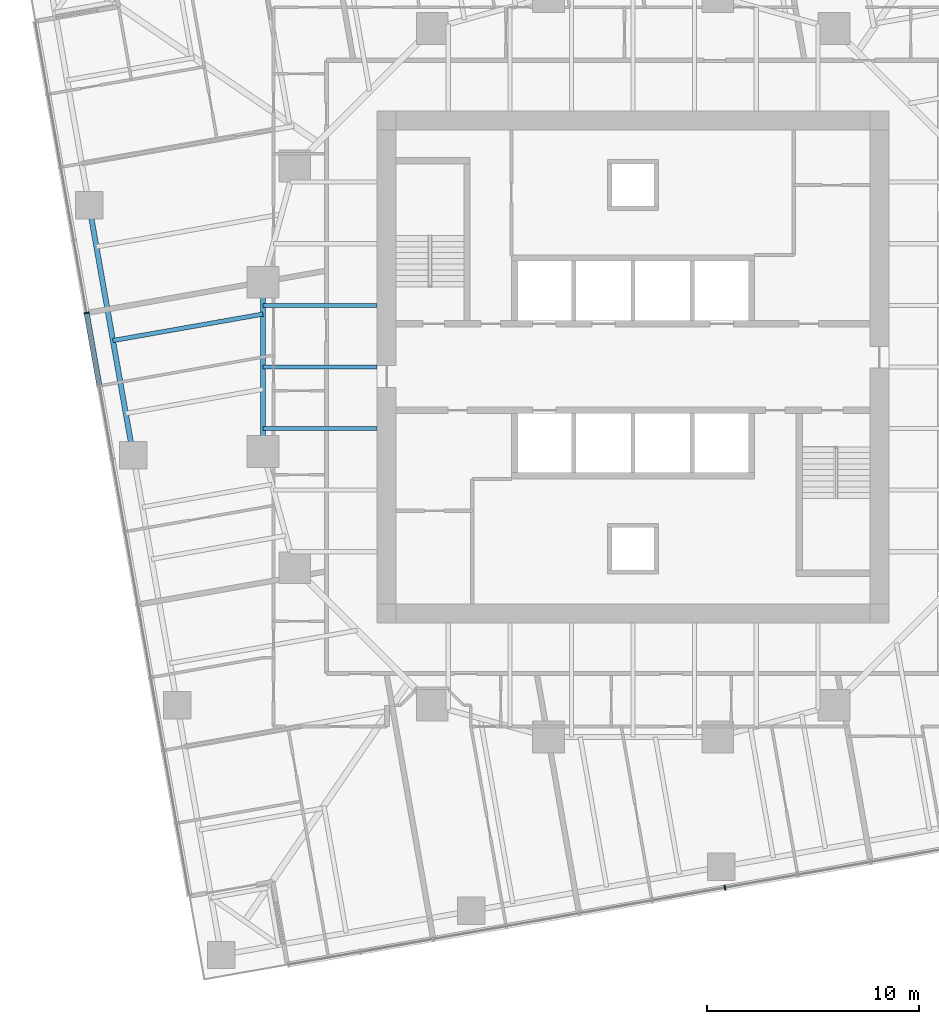
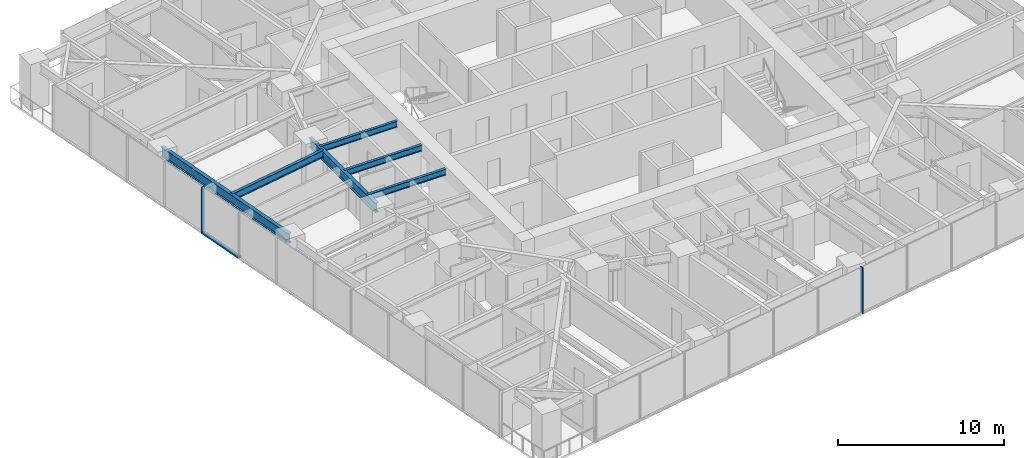
# One storey, part 3 of 14: 6 beams, 3 members, 2 elements without a shape of their own.
"""IFC4 building model written with IfcOpenShell, lengths in metres."""

from ifc_helpers import new_model, si_unit, direction, frame, origin, origin_2d, place, context, subcontext, project, spatial, rectangle, i_section, extrude, material, material_profile, profile_set, type_object, element, aggregate, save


model = new_model("IFC4")

# Units and contexts
model_context = context("Model", 3, precision=1e-05, world=origin(), true_north=direction((0.0, 1.0)))
body_context = subcontext(model_context, "Body", "Model", "MODEL_VIEW")
ifc_project = project(units=[si_unit("LENGTHUNIT", "METRE"), si_unit("AREAUNIT", "SQUARE_METRE"), si_unit("VOLUMEUNIT", "CUBIC_METRE"), si_unit("PLANEANGLEUNIT", "RADIAN"), si_unit("MASSUNIT", "GRAM", prefix="KILO")], contexts=[model_context])

# Site, building, storey
site_placement = place(None, origin())
site = spatial("IfcSite", under=ifc_project, at=site_placement, CompositionType="ELEMENT")
building_placement = place(site_placement, origin())
building = spatial("IfcBuilding", under=site, at=building_placement, Name="Torsade Residences", CompositionType="ELEMENT")
storey_placement = place(building_placement, frame((0.0, 0.0, 82.800048828125)))
storey = spatial("IfcBuildingStorey", under=building, at=storey_placement, Name="L22", CompositionType="ELEMENT", Elevation=82.800048828125)

# Curtain wall, member
ifc_material_1 = material(Name="Aluminium and glass", Category="aluminium")
curtain_wall_type = type_object("IfcCurtainWallType", Name="FRITTED GLASS CURTAIN WALL LOW ZONE", PredefinedType="NOTDEFINED", material=ifc_material_1)
curtain_wall_1_placement = place(storey_placement, origin())
curtain_wall_1 = element("IfcCurtainWall", 1, at=curtain_wall_1_placement, inside=storey, type_object=curtain_wall_type, Name="Curtain wall L22 face 1", PredefinedType="NOTDEFINED")
ifc_material_2 = material(Name="Aluminium mullion", Category="aluminium")
ifc_material_profile_1 = material_profile(ifc_material_2, rectangle(XDim=0.25, YDim=0.06494140625, at=origin_2d()), Name="CURTAIN WALL MULLION 250x65")
ifc_profile_set_1 = profile_set([ifc_material_profile_1], Name="Aluminium mullion")
member_type_1 = type_object("IfcMemberType", Name="CURTAIN WALL MULLION 250x65", PredefinedType="MULLION", material=ifc_profile_set_1)
member_1_placement = place(storey_placement, frame((44.34130859375, 5.3798828125, 0.0), z_axis=(0.0, 0.0, 1.0), x_axis=(-0.173648192638, 0.984807750372, 0.0)))
member_1 = element("IfcMember", 2, at=member_1_placement, type_object=member_type_1, Name="Mullion 7", PredefinedType="MULLION", context=body_context, shape_type="SweptSolid", body=[
    extrude(rectangle(XDim=0.25, YDim=0.06494140625, at=origin_2d()), origin(), (0.0, 0.0, 1.0), 3.39990234375),
])
aggregate(curtain_wall_1, [member_1])

# Curtain wall, members
curtain_wall_2_placement = place(storey_placement, origin())
curtain_wall_2 = element("IfcCurtainWall", 3, at=curtain_wall_2_placement, inside=storey, type_object=curtain_wall_type, Name="Curtain wall L22 face 10", PredefinedType="NOTDEFINED")
member_2_placement = place(storey_placement, frame((14.164306640625, 32.552490234375, 0.0), z_axis=(0.0, 0.0, 1.0), x_axis=(0.984807750372, 0.173648192638, 0.0)))
member_2 = element("IfcMember", 4, at=member_2_placement, type_object=member_type_1, Name="Mullion 5", PredefinedType="MULLION", context=body_context, shape_type="SweptSolid", body=[
    extrude(rectangle(XDim=0.25, YDim=0.06494140625, at=origin_2d()), origin(), (0.0, 0.0, 1.0), 3.39990234375),
])
ifc_material_3 = material(Name="Aluminium transom", Category="aluminium")
ifc_material_profile_2 = material_profile(ifc_material_3, rectangle(XDim=0.25, YDim=0.10009765625, at=origin_2d()), Name="CURTAIN WALL TRANSOM 250x100")
ifc_profile_set_2 = profile_set([ifc_material_profile_2], Name="Aluminium transom")
member_type_2 = type_object("IfcMemberType", Name="CURTAIN WALL TRANSOM 250x100", PredefinedType="USERDEFINED", material=ifc_profile_set_2)
member_3_placement = place(storey_placement, frame((14.169921875, 32.5205078125, 0.050048828125), z_axis=(0.17363531196, -0.984810021497, 0.0), x_axis=(0.984810021497, 0.17363531196, 0.0)))
member_3 = element("IfcMember", 5, at=member_3_placement, type_object=member_type_2, Name="Transom 5.1", ObjectType="TRANSOM", PredefinedType="USERDEFINED", context=body_context, shape_type="SweptSolid", body=[
    extrude(rectangle(XDim=0.25, YDim=0.10009765625, at=origin_2d()), origin(), (0.0, 0.0, 1.0), 3.43505859375),
])
aggregate(curtain_wall_2, [member_2, member_3])

# Beams
ifc_material_4 = material(Name="Steel grade 300", Category="steel")
ifc_material_profile_3 = material_profile(ifc_material_4, i_section(OverallWidth=0.25, OverallDepth=0.699951171875, WebThickness=0.010009765625, FlangeThickness=0.02001953125, at=origin_2d()), Name="700WB130")
ifc_profile_set_3 = profile_set([ifc_material_profile_3], Name="Steel grade 300")
beam_type_1 = type_object("IfcBeamType", Name="EDGE BEAM 700WB130", PredefinedType="SPANDREL", material=ifc_profile_set_3)
beam_1_placement = place(storey_placement, frame((14.28076171875, 37.650146484375, 2.89990234375), z_axis=(0.173646056486, -0.984808127031, 0.0), x_axis=(0.984808127031, 0.173646056486, 0.0)))
element("IfcBeam", 6, at=beam_1_placement, inside=storey, type_object=beam_type_1, Name="Edge beam 14 L23", PredefinedType="SPANDREL", context=body_context, shape_type="SweptSolid", body=[
    extrude(i_section(OverallWidth=0.25, OverallDepth=0.699951171875, WebThickness=0.010009765625, FlangeThickness=0.02001953125, at=origin_2d()), origin(), (0.0, 0.0, 1.0), 12.0),
])
ifc_material_5 = material(Name="Steel grade 300", Category="steel")
ifc_material_profile_4 = material_profile(ifc_material_5, i_section(OverallWidth=0.18994140625, OverallDepth=0.4541015625, WebThickness=0.008544921875, FlangeThickness=0.0126953125, FilletRadius=0.011474609375, at=origin_2d()), Name="460UB67.1")
ifc_profile_set_4 = profile_set([ifc_material_profile_4], Name="Steel grade 300")
beam_type_2 = type_object("IfcBeamType", Name="INNER FLOOR BEAM 460UB67.1", PredefinedType="JOIST", material=ifc_profile_set_4)
for number, where, z_axis, x_axis, name in (
    (7, (27.89990234375, 32.91259765625, 3.02294921875), (-1.0, 0.0, 0.0), (0.0, -1.0, 0.0), "Inner floor beam IW03 L23"),
    (8, (27.89990234375, 30.0, 3.02294921875), (-1.0, 0.0, 0.0), (0.0, -1.0, 0.0), "Inner floor beam IW04 L23"),
    (9, (27.89990234375, 27.08740234375, 3.02294921875), (-1.0, 0.0, 0.0), (0.0, -1.0, 0.0), "Inner floor beam IW05 L23"),
):
    element("IfcBeam", number, at=place(storey_placement, frame(where, z_axis=z_axis, x_axis=x_axis)), inside=storey, type_object=beam_type_2, Name=name, PredefinedType="JOIST", context=body_context, shape_type="SweptSolid", body=[
        extrude(i_section(OverallWidth=0.18994140625, OverallDepth=0.4541015625, WebThickness=0.008544921875, FlangeThickness=0.0126953125, FilletRadius=0.011474609375, at=origin_2d()), origin(), (0.0, 0.0, 1.0), 5.39990234375),
    ])
ifc_material_6 = material(Name="Steel grade 300", Category="steel")
ifc_material_profile_5 = material_profile(ifc_material_6, i_section(OverallWidth=0.25, OverallDepth=0.699951171875, WebThickness=0.010009765625, FlangeThickness=0.02001953125, at=origin_2d()), Name="700WB130")
ifc_profile_set_5 = profile_set([ifc_material_profile_5], Name="Steel grade 300")
beam_type_3 = type_object("IfcBeamType", Name="RING GIRDER 700WB130", PredefinedType="BEAM", material=ifc_profile_set_5)
beam_2_placement = place(storey_placement, frame((22.5, 34.0, 2.89990234375), z_axis=(0.0, -1.0, 0.0), x_axis=(1.0, 0.0, 0.0)))
element("IfcBeam", 10, at=beam_2_placement, inside=storey, type_object=beam_type_3, Name="Ring girder IR09 L23", PredefinedType="BEAM", context=body_context, shape_type="SweptSolid", body=[
    extrude(i_section(OverallWidth=0.25, OverallDepth=0.699951171875, WebThickness=0.010009765625, FlangeThickness=0.02001953125, at=origin_2d()), origin(), (0.0, 0.0, 1.0), 8.0),
])
ifc_material_7 = material(Name="Steel grade 300", Category="steel")
ifc_material_profile_6 = material_profile(ifc_material_7, i_section(OverallWidth=0.208984375, OverallDepth=0.528076171875, WebThickness=0.009521484375, FlangeThickness=0.01318359375, FilletRadius=0.013916015625, at=origin_2d()), Name="530UB82.0")
ifc_profile_set_6 = profile_set([ifc_material_profile_6], Name="Steel grade 300")
beam_type_4 = type_object("IfcBeamType", Name="SECONDARY BEAM 530UB82.0", PredefinedType="JOIST", material=ifc_profile_set_6)
beam_3_placement = place(storey_placement, frame((15.40966796875, 31.248779296875, 2.98583984375), z_axis=(0.984807104535, 0.173651855324, 0.0), x_axis=(-0.173651855324, 0.984807104535, 0.0)))
element("IfcBeam", 11, at=beam_3_placement, inside=storey, type_object=beam_type_4, Name="Floor beam FW05 L23", PredefinedType="JOIST", context=body_context, shape_type="SweptSolid", body=[
    extrude(i_section(OverallWidth=0.208984375, OverallDepth=0.528076171875, WebThickness=0.009521484375, FlangeThickness=0.01318359375, FilletRadius=0.013916015625, at=origin_2d()), origin(), (0.0, 0.0, 1.0), 7.19970703125),
])

save(model, "model.ifc")
